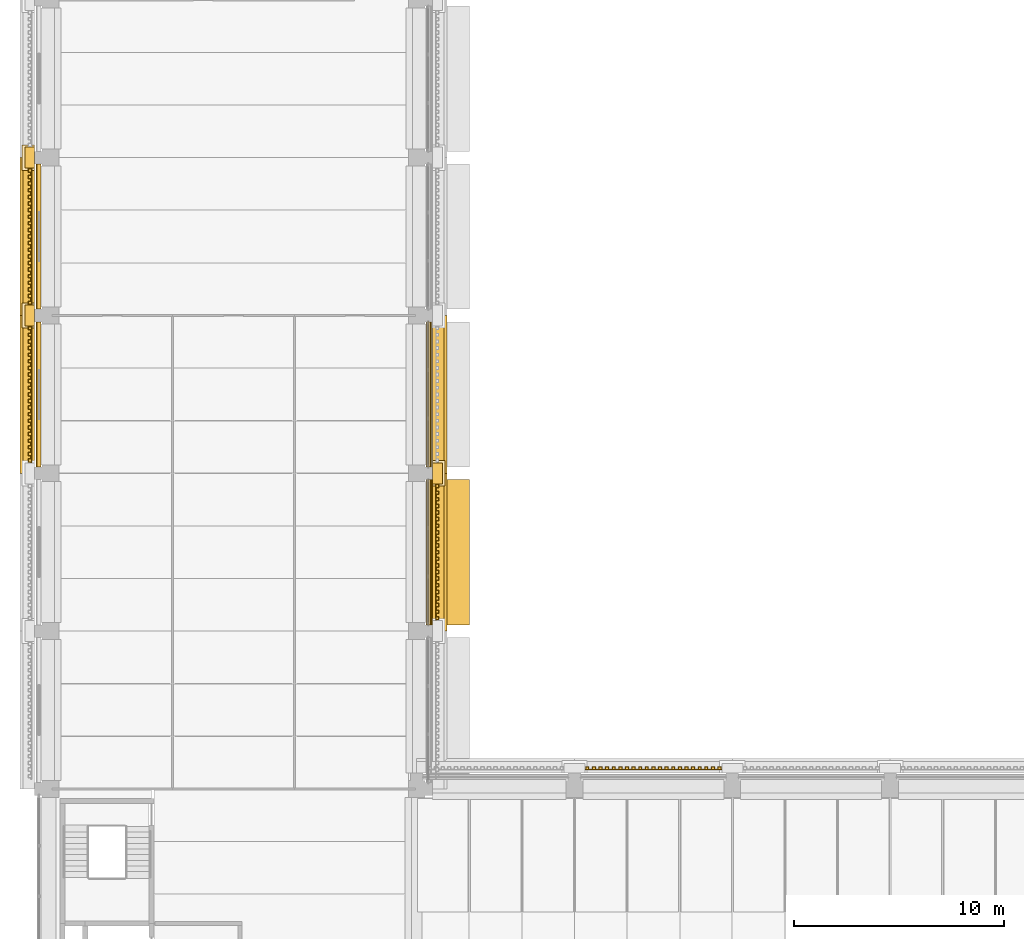
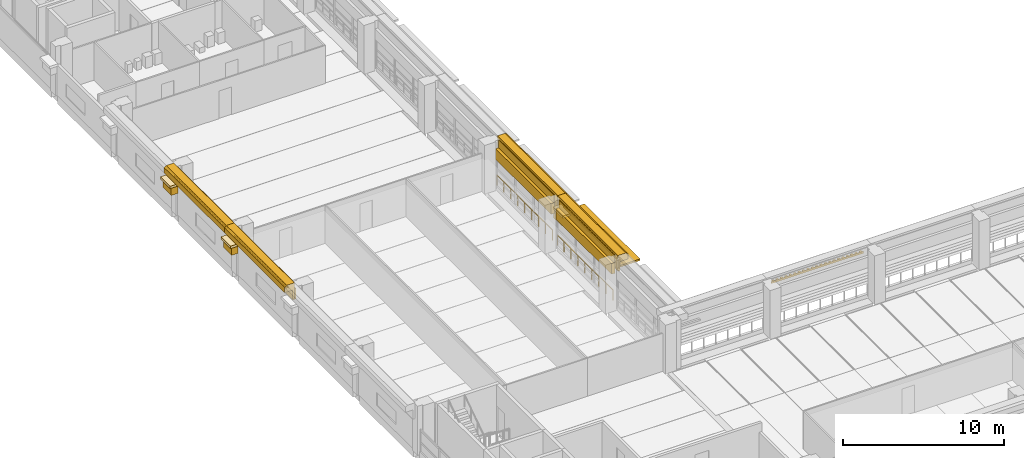
# One storey, part 48 of 71: 18 coverings, 2 railings, 1 shading device.
"""IFC4 building model written with IfcOpenShell, lengths in metres."""

from ifc_helpers import new_model, si_unit, direction, frame, origin, origin_2d, place, context, subcontext, project, spatial, polyline, circle, outline, extrude, material, layer, layer_set, type_object, element, save


model = new_model("IFC4")

# Units and contexts
model_context = context("Model", 3, precision=1e-05, world=origin(), true_north=direction((0.0, 1.0)))
body_context = subcontext(model_context, "Body", "Model", "MODEL_VIEW")
ifc_project = project(units=[si_unit("LENGTHUNIT", "METRE"), si_unit("AREAUNIT", "SQUARE_METRE"), si_unit("VOLUMEUNIT", "CUBIC_METRE"), si_unit("PLANEANGLEUNIT", "RADIAN"), si_unit("MASSUNIT", "GRAM", prefix="KILO")], contexts=[model_context])

# Site, building, storey
site_placement = place(None, origin())
site = spatial("IfcSite", under=ifc_project, at=site_placement, CompositionType="ELEMENT")
building_placement = place(site_placement, origin())
building = spatial("IfcBuilding", under=site, at=building_placement, Name="Cour d'Honneur Mobility Palace", CompositionType="ELEMENT")
storey_placement = place(building_placement, frame((0.0, 0.0, 15.60009765625)))
storey = spatial("IfcBuildingStorey", under=building, at=storey_placement, Name="L04", CompositionType="ELEMENT", Elevation=15.60009765625)

# Railings
ifc_material_1 = material(Name="Painted steel", Category="steel")
railing_type = type_object("IfcRailingType", Name="Balustrade", PredefinedType="BALUSTRADE", material=ifc_material_1)
for number, where, name in (
    (1, (17.949951171875, 70.199951171875, 0.2998046875), "Balustrade BAL-253"),
    (2, (17.949951171875, 77.699951171875, 0.2998046875), "Balustrade BAL-254"),
):
    element("IfcRailing", number, at=place(storey_placement, frame(where)), inside=storey, type_object=railing_type, Name=name, PredefinedType="BALUSTRADE", context=body_context, shape_type="SweptSolid", body=[
        extrude(circle(Radius=0.02392578125, at=origin_2d()), frame((0.0, 0.0, 0.77587890625), z_axis=(0.0, 1.0, 0.0), x_axis=(-1.0, 0.0, 0.0)), (0.0, 0.0, 1.0), 6.900146484375),
        extrude(circle(Radius=0.02099609375, at=origin_2d()), origin(), (0.0, 0.0, 1.0), 0.751953125),
        extrude(circle(Radius=0.02099609375, at=origin_2d()), frame((0.0, 0.862548828125, 0.0)), (0.0, 0.0, 1.0), 0.751953125),
        extrude(circle(Radius=0.02099609375, at=origin_2d()), frame((0.0, 1.72509765625, 0.0)), (0.0, 0.0, 1.0), 0.751953125),
        extrude(circle(Radius=0.02099609375, at=origin_2d()), frame((0.0, 2.587646484375, 0.0)), (0.0, 0.0, 1.0), 0.751953125),
        extrude(circle(Radius=0.02099609375, at=origin_2d()), frame((0.0, 3.4501953125, 0.0)), (0.0, 0.0, 1.0), 0.751953125),
        extrude(circle(Radius=0.02099609375, at=origin_2d()), frame((0.0, 4.3125, 0.0)), (0.0, 0.0, 1.0), 0.751953125),
        extrude(circle(Radius=0.02099609375, at=origin_2d()), frame((0.0, 5.175048828125, 0.0)), (0.0, 0.0, 1.0), 0.751953125),
        extrude(circle(Radius=0.02099609375, at=origin_2d()), frame((0.0, 6.03759765625, 0.0)), (0.0, 0.0, 1.0), 0.751953125),
        extrude(circle(Radius=0.02099609375, at=origin_2d()), frame((0.0, 6.900146484375, 0.0)), (0.0, 0.0, 1.0), 0.751953125),
    ])

# Coverings
ifc_material_2 = material(Name="Cast limestone", Category="masonry")
ifc_layer_1 = layer(ifc_material_2, 0.14990234375)
ifc_layer_set_1 = layer_set([ifc_layer_1], Name="Cast limestone")
covering_type_1 = type_object("IfcCoveringType", Name="Dentil course", PredefinedType="CLADDING", material=ifc_layer_set_1)
covering_1_placement = place(storey_placement, frame((0.0, 0.0, 3.14990234375)))
element("IfcCovering", 3, at=covering_1_placement, inside=storey, type_object=covering_type_1, Name="Dentil course DC-110", PredefinedType="CLADDING", context=body_context, shape_type="SweptSolid", body=[
    extrude(outline(polyline([(31.949951171875, 63.300048828125), (25.35009765625, 63.300048828125), (25.35009765625, 63.330078125), (25.35009765625, 63.330078125), (25.428466796875, 63.330078125), (25.428466796875, 63.449951171875), (25.585693359375, 63.449951171875), (25.585693359375, 63.330078125), (25.664306640625, 63.330078125), (25.664306640625, 63.330078125), (25.742919921875, 63.330078125), (25.742919921875, 63.449951171875), (25.89990234375, 63.449951171875), (25.89990234375, 63.330078125), (25.978515625, 63.330078125), (25.978515625, 63.330078125), (26.05712890625, 63.330078125), (26.05712890625, 63.449951171875), (26.21435546875, 63.449951171875), (26.21435546875, 63.330078125), (26.29296875, 63.330078125), (26.29296875, 63.330078125), (26.371337890625, 63.330078125), (26.371337890625, 63.449951171875), (26.528564453125, 63.449951171875), (26.528564453125, 63.330078125), (26.607177734375, 63.330078125), (26.607177734375, 63.330078125), (26.685791015625, 63.330078125), (26.685791015625, 63.449951171875), (26.8427734375, 63.449951171875), (26.8427734375, 63.330078125), (26.92138671875, 63.330078125), (26.92138671875, 63.330078125), (27.0, 63.330078125), (27.0, 63.449951171875), (27.1572265625, 63.449951171875), (27.1572265625, 63.330078125), (27.235595703125, 63.330078125), (27.235595703125, 63.330078125), (27.314208984375, 63.330078125), (27.314208984375, 63.449951171875), (27.471435546875, 63.449951171875), (27.471435546875, 63.330078125), (27.550048828125, 63.330078125), (27.550048828125, 63.330078125), (27.628662109375, 63.330078125), (27.628662109375, 63.449951171875), (27.78564453125, 63.449951171875), (27.78564453125, 63.330078125), (27.8642578125, 63.330078125), (27.8642578125, 63.330078125), (27.94287109375, 63.330078125), (27.94287109375, 63.449951171875), (28.10009765625, 63.449951171875), (28.10009765625, 63.330078125), (28.178466796875, 63.330078125), (28.178466796875, 63.330078125), (28.257080078125, 63.330078125), (28.257080078125, 63.449951171875), (28.414306640625, 63.449951171875), (28.414306640625, 63.330078125), (28.492919921875, 63.330078125), (28.492919921875, 63.330078125), (28.571533203125, 63.330078125), (28.571533203125, 63.449951171875), (28.728515625, 63.449951171875), (28.728515625, 63.330078125), (28.80712890625, 63.330078125), (28.80712890625, 63.330078125), (28.8857421875, 63.330078125), (28.8857421875, 63.449951171875), (29.04296875, 63.449951171875), (29.04296875, 63.330078125), (29.121337890625, 63.330078125), (29.121337890625, 63.330078125), (29.199951171875, 63.330078125), (29.199951171875, 63.449951171875), (29.357177734375, 63.449951171875), (29.357177734375, 63.330078125), (29.435791015625, 63.330078125), (29.435791015625, 63.330078125), (29.514404296875, 63.330078125), (29.514404296875, 63.449951171875), (29.67138671875, 63.449951171875), (29.67138671875, 63.330078125), (29.75, 63.330078125), (29.75, 63.330078125), (29.82861328125, 63.330078125), (29.82861328125, 63.449951171875), (29.985595703125, 63.449951171875), (29.985595703125, 63.330078125), (30.064208984375, 63.330078125), (30.064208984375, 63.330078125), (30.142822265625, 63.330078125), (30.142822265625, 63.449951171875), (30.300048828125, 63.449951171875), (30.300048828125, 63.330078125), (30.378662109375, 63.330078125), (30.378662109375, 63.330078125), (30.45703125, 63.330078125), (30.45703125, 63.449951171875), (30.6142578125, 63.449951171875), (30.6142578125, 63.330078125), (30.69287109375, 63.330078125), (30.69287109375, 63.330078125), (30.771484375, 63.330078125), (30.771484375, 63.449951171875), (30.928466796875, 63.449951171875), (30.928466796875, 63.330078125), (31.007080078125, 63.330078125), (31.007080078125, 63.330078125), (31.085693359375, 63.330078125), (31.085693359375, 63.449951171875), (31.242919921875, 63.449951171875), (31.242919921875, 63.330078125), (31.321533203125, 63.330078125), (31.321533203125, 63.330078125), (31.39990234375, 63.330078125), (31.39990234375, 63.449951171875), (31.55712890625, 63.449951171875), (31.55712890625, 63.330078125), (31.6357421875, 63.330078125), (31.6357421875, 63.330078125), (31.71435546875, 63.330078125), (31.71435546875, 63.449951171875), (31.871337890625, 63.449951171875), (31.871337890625, 63.330078125), (31.949951171875, 63.330078125), (31.949951171875, 63.300048828125)])), origin(), (0.0, 0.0, 1.0), 0.14990234375),
])
covering_2_placement = place(storey_placement, frame((0.0, 0.0, 3.14990234375)))
element("IfcCovering", 4, at=covering_2_placement, inside=storey, type_object=covering_type_1, Name="Dentil course DC-113", PredefinedType="CLADDING", context=body_context, shape_type="SweptSolid", body=[
    extrude(outline(polyline([(18.300048828125, 70.35009765625), (18.300048828125, 76.949951171875), (18.330078125, 76.949951171875), (18.330078125, 76.949951171875), (18.330078125, 76.871337890625), (18.449951171875, 76.871337890625), (18.449951171875, 76.71435546875), (18.330078125, 76.71435546875), (18.330078125, 76.6357421875), (18.330078125, 76.6357421875), (18.330078125, 76.55712890625), (18.449951171875, 76.55712890625), (18.449951171875, 76.39990234375), (18.330078125, 76.39990234375), (18.330078125, 76.321533203125), (18.330078125, 76.321533203125), (18.330078125, 76.242919921875), (18.449951171875, 76.242919921875), (18.449951171875, 76.085693359375), (18.330078125, 76.085693359375), (18.330078125, 76.007080078125), (18.330078125, 76.007080078125), (18.330078125, 75.928466796875), (18.449951171875, 75.928466796875), (18.449951171875, 75.771484375), (18.330078125, 75.771484375), (18.330078125, 75.69287109375), (18.330078125, 75.69287109375), (18.330078125, 75.6142578125), (18.449951171875, 75.6142578125), (18.449951171875, 75.45703125), (18.330078125, 75.45703125), (18.330078125, 75.378662109375), (18.330078125, 75.378662109375), (18.330078125, 75.300048828125), (18.449951171875, 75.300048828125), (18.449951171875, 75.142822265625), (18.330078125, 75.142822265625), (18.330078125, 75.064208984375), (18.330078125, 75.064208984375), (18.330078125, 74.985595703125), (18.449951171875, 74.985595703125), (18.449951171875, 74.82861328125), (18.330078125, 74.82861328125), (18.330078125, 74.75), (18.330078125, 74.75), (18.330078125, 74.67138671875), (18.449951171875, 74.67138671875), (18.449951171875, 74.514404296875), (18.330078125, 74.514404296875), (18.330078125, 74.435791015625), (18.330078125, 74.435791015625), (18.330078125, 74.357177734375), (18.449951171875, 74.357177734375), (18.449951171875, 74.199951171875), (18.330078125, 74.199951171875), (18.330078125, 74.121337890625), (18.330078125, 74.121337890625), (18.330078125, 74.04296875), (18.449951171875, 74.04296875), (18.449951171875, 73.8857421875), (18.330078125, 73.8857421875), (18.330078125, 73.80712890625), (18.330078125, 73.80712890625), (18.330078125, 73.728515625), (18.449951171875, 73.728515625), (18.449951171875, 73.571533203125), (18.330078125, 73.571533203125), (18.330078125, 73.492919921875), (18.330078125, 73.492919921875), (18.330078125, 73.414306640625), (18.449951171875, 73.414306640625), (18.449951171875, 73.257080078125), (18.330078125, 73.257080078125), (18.330078125, 73.178466796875), (18.330078125, 73.178466796875), (18.330078125, 73.10009765625), (18.449951171875, 73.10009765625), (18.449951171875, 72.94287109375), (18.330078125, 72.94287109375), (18.330078125, 72.8642578125), (18.330078125, 72.8642578125), (18.330078125, 72.78564453125), (18.449951171875, 72.78564453125), (18.449951171875, 72.628662109375), (18.330078125, 72.628662109375), (18.330078125, 72.550048828125), (18.330078125, 72.550048828125), (18.330078125, 72.471435546875), (18.449951171875, 72.471435546875), (18.449951171875, 72.314208984375), (18.330078125, 72.314208984375), (18.330078125, 72.235595703125), (18.330078125, 72.235595703125), (18.330078125, 72.1572265625), (18.449951171875, 72.1572265625), (18.449951171875, 72.0), (18.330078125, 72.0), (18.330078125, 71.92138671875), (18.330078125, 71.92138671875), (18.330078125, 71.8427734375), (18.449951171875, 71.8427734375), (18.449951171875, 71.685791015625), (18.330078125, 71.685791015625), (18.330078125, 71.607177734375), (18.330078125, 71.607177734375), (18.330078125, 71.528564453125), (18.449951171875, 71.528564453125), (18.449951171875, 71.371337890625), (18.330078125, 71.371337890625), (18.330078125, 71.29296875), (18.330078125, 71.29296875), (18.330078125, 71.21435546875), (18.449951171875, 71.21435546875), (18.449951171875, 71.05712890625), (18.330078125, 71.05712890625), (18.330078125, 70.978515625), (18.330078125, 70.978515625), (18.330078125, 70.89990234375), (18.449951171875, 70.89990234375), (18.449951171875, 70.742919921875), (18.330078125, 70.742919921875), (18.330078125, 70.664306640625), (18.330078125, 70.664306640625), (18.330078125, 70.585693359375), (18.449951171875, 70.585693359375), (18.449951171875, 70.428466796875), (18.330078125, 70.428466796875), (18.330078125, 70.35009765625), (18.300048828125, 70.35009765625)])), origin(), (0.0, 0.0, 1.0), 0.14990234375),
])
covering_3_placement = place(storey_placement, frame((0.0, 0.0, 3.14990234375)))
element("IfcCovering", 5, at=covering_3_placement, inside=storey, type_object=covering_type_1, Name="Dentil course DC-120", PredefinedType="CLADDING", context=body_context, shape_type="SweptSolid", body=[
    extrude(outline(polyline([(-0.89990234375, 91.949951171875), (-0.89990234375, 85.35009765625), (-0.929931640625, 85.35009765625), (-0.929931640625, 85.35009765625), (-0.929931640625, 85.428466796875), (-1.050048828125, 85.428466796875), (-1.050048828125, 85.585693359375), (-0.929931640625, 85.585693359375), (-0.929931640625, 85.664306640625), (-0.929931640625, 85.664306640625), (-0.929931640625, 85.742919921875), (-1.050048828125, 85.742919921875), (-1.050048828125, 85.89990234375), (-0.929931640625, 85.89990234375), (-0.929931640625, 85.978515625), (-0.929931640625, 85.978515625), (-0.929931640625, 86.05712890625), (-1.050048828125, 86.05712890625), (-1.050048828125, 86.21435546875), (-0.929931640625, 86.21435546875), (-0.929931640625, 86.29296875), (-0.929931640625, 86.29296875), (-0.929931640625, 86.371337890625), (-1.050048828125, 86.371337890625), (-1.050048828125, 86.528564453125), (-0.929931640625, 86.528564453125), (-0.929931640625, 86.607177734375), (-0.929931640625, 86.607177734375), (-0.929931640625, 86.685791015625), (-1.050048828125, 86.685791015625), (-1.050048828125, 86.8427734375), (-0.929931640625, 86.8427734375), (-0.929931640625, 86.92138671875), (-0.929931640625, 86.92138671875), (-0.929931640625, 87.0), (-1.050048828125, 87.0), (-1.050048828125, 87.1572265625), (-0.929931640625, 87.1572265625), (-0.929931640625, 87.235595703125), (-0.929931640625, 87.235595703125), (-0.929931640625, 87.314208984375), (-1.050048828125, 87.314208984375), (-1.050048828125, 87.471435546875), (-0.929931640625, 87.471435546875), (-0.929931640625, 87.550048828125), (-0.929931640625, 87.550048828125), (-0.929931640625, 87.628662109375), (-1.050048828125, 87.628662109375), (-1.050048828125, 87.78564453125), (-0.929931640625, 87.78564453125), (-0.929931640625, 87.8642578125), (-0.929931640625, 87.8642578125), (-0.929931640625, 87.94287109375), (-1.050048828125, 87.94287109375), (-1.050048828125, 88.10009765625), (-0.929931640625, 88.10009765625), (-0.929931640625, 88.178466796875), (-0.929931640625, 88.178466796875), (-0.929931640625, 88.257080078125), (-1.050048828125, 88.257080078125), (-1.050048828125, 88.414306640625), (-0.929931640625, 88.414306640625), (-0.929931640625, 88.492919921875), (-0.929931640625, 88.492919921875), (-0.929931640625, 88.571533203125), (-1.050048828125, 88.571533203125), (-1.050048828125, 88.728515625), (-0.929931640625, 88.728515625), (-0.929931640625, 88.80712890625), (-0.929931640625, 88.80712890625), (-0.929931640625, 88.8857421875), (-1.050048828125, 88.8857421875), (-1.050048828125, 89.04296875), (-0.929931640625, 89.04296875), (-0.929931640625, 89.121337890625), (-0.929931640625, 89.121337890625), (-0.929931640625, 89.199951171875), (-1.050048828125, 89.199951171875), (-1.050048828125, 89.357177734375), (-0.929931640625, 89.357177734375), (-0.929931640625, 89.435791015625), (-0.929931640625, 89.435791015625), (-0.929931640625, 89.514404296875), (-1.050048828125, 89.514404296875), (-1.050048828125, 89.67138671875), (-0.929931640625, 89.67138671875), (-0.929931640625, 89.75), (-0.929931640625, 89.75), (-0.929931640625, 89.82861328125), (-1.050048828125, 89.82861328125), (-1.050048828125, 89.985595703125), (-0.929931640625, 89.985595703125), (-0.929931640625, 90.064208984375), (-0.929931640625, 90.064208984375), (-0.929931640625, 90.142822265625), (-1.050048828125, 90.142822265625), (-1.050048828125, 90.300048828125), (-0.929931640625, 90.300048828125), (-0.929931640625, 90.378662109375), (-0.929931640625, 90.378662109375), (-0.929931640625, 90.45703125), (-1.050048828125, 90.45703125), (-1.050048828125, 90.6142578125), (-0.929931640625, 90.6142578125), (-0.929931640625, 90.69287109375), (-0.929931640625, 90.69287109375), (-0.929931640625, 90.771484375), (-1.050048828125, 90.771484375), (-1.050048828125, 90.928466796875), (-0.929931640625, 90.928466796875), (-0.929931640625, 91.007080078125), (-0.929931640625, 91.007080078125), (-0.929931640625, 91.085693359375), (-1.050048828125, 91.085693359375), (-1.050048828125, 91.242919921875), (-0.929931640625, 91.242919921875), (-0.929931640625, 91.321533203125), (-0.929931640625, 91.321533203125), (-0.929931640625, 91.39990234375), (-1.050048828125, 91.39990234375), (-1.050048828125, 91.55712890625), (-0.929931640625, 91.55712890625), (-0.929931640625, 91.6357421875), (-0.929931640625, 91.6357421875), (-0.929931640625, 91.71435546875), (-1.050048828125, 91.71435546875), (-1.050048828125, 91.871337890625), (-0.929931640625, 91.871337890625), (-0.929931640625, 91.949951171875), (-0.89990234375, 91.949951171875)])), origin(), (0.0, 0.0, 1.0), 0.14990234375),
])
covering_4_placement = place(storey_placement, frame((0.0, 0.0, 3.14990234375)))
element("IfcCovering", 6, at=covering_4_placement, inside=storey, type_object=covering_type_1, Name="Dentil course DC-121", PredefinedType="CLADDING", context=body_context, shape_type="SweptSolid", body=[
    extrude(outline(polyline([(-0.89990234375, 84.449951171875), (-0.89990234375, 77.85009765625), (-0.929931640625, 77.85009765625), (-0.929931640625, 77.85009765625), (-0.929931640625, 77.928466796875), (-1.050048828125, 77.928466796875), (-1.050048828125, 78.085693359375), (-0.929931640625, 78.085693359375), (-0.929931640625, 78.164306640625), (-0.929931640625, 78.164306640625), (-0.929931640625, 78.242919921875), (-1.050048828125, 78.242919921875), (-1.050048828125, 78.39990234375), (-0.929931640625, 78.39990234375), (-0.929931640625, 78.478515625), (-0.929931640625, 78.478515625), (-0.929931640625, 78.55712890625), (-1.050048828125, 78.55712890625), (-1.050048828125, 78.71435546875), (-0.929931640625, 78.71435546875), (-0.929931640625, 78.79296875), (-0.929931640625, 78.79296875), (-0.929931640625, 78.871337890625), (-1.050048828125, 78.871337890625), (-1.050048828125, 79.028564453125), (-0.929931640625, 79.028564453125), (-0.929931640625, 79.107177734375), (-0.929931640625, 79.107177734375), (-0.929931640625, 79.185791015625), (-1.050048828125, 79.185791015625), (-1.050048828125, 79.3427734375), (-0.929931640625, 79.3427734375), (-0.929931640625, 79.42138671875), (-0.929931640625, 79.42138671875), (-0.929931640625, 79.5), (-1.050048828125, 79.5), (-1.050048828125, 79.6572265625), (-0.929931640625, 79.6572265625), (-0.929931640625, 79.735595703125), (-0.929931640625, 79.735595703125), (-0.929931640625, 79.814208984375), (-1.050048828125, 79.814208984375), (-1.050048828125, 79.971435546875), (-0.929931640625, 79.971435546875), (-0.929931640625, 80.050048828125), (-0.929931640625, 80.050048828125), (-0.929931640625, 80.128662109375), (-1.050048828125, 80.128662109375), (-1.050048828125, 80.28564453125), (-0.929931640625, 80.28564453125), (-0.929931640625, 80.3642578125), (-0.929931640625, 80.3642578125), (-0.929931640625, 80.44287109375), (-1.050048828125, 80.44287109375), (-1.050048828125, 80.60009765625), (-0.929931640625, 80.60009765625), (-0.929931640625, 80.678466796875), (-0.929931640625, 80.678466796875), (-0.929931640625, 80.757080078125), (-1.050048828125, 80.757080078125), (-1.050048828125, 80.914306640625), (-0.929931640625, 80.914306640625), (-0.929931640625, 80.992919921875), (-0.929931640625, 80.992919921875), (-0.929931640625, 81.071533203125), (-1.050048828125, 81.071533203125), (-1.050048828125, 81.228515625), (-0.929931640625, 81.228515625), (-0.929931640625, 81.30712890625), (-0.929931640625, 81.30712890625), (-0.929931640625, 81.3857421875), (-1.050048828125, 81.3857421875), (-1.050048828125, 81.54296875), (-0.929931640625, 81.54296875), (-0.929931640625, 81.621337890625), (-0.929931640625, 81.621337890625), (-0.929931640625, 81.699951171875), (-1.050048828125, 81.699951171875), (-1.050048828125, 81.857177734375), (-0.929931640625, 81.857177734375), (-0.929931640625, 81.935791015625), (-0.929931640625, 81.935791015625), (-0.929931640625, 82.014404296875), (-1.050048828125, 82.014404296875), (-1.050048828125, 82.17138671875), (-0.929931640625, 82.17138671875), (-0.929931640625, 82.25), (-0.929931640625, 82.25), (-0.929931640625, 82.32861328125), (-1.050048828125, 82.32861328125), (-1.050048828125, 82.485595703125), (-0.929931640625, 82.485595703125), (-0.929931640625, 82.564208984375), (-0.929931640625, 82.564208984375), (-0.929931640625, 82.642822265625), (-1.050048828125, 82.642822265625), (-1.050048828125, 82.800048828125), (-0.929931640625, 82.800048828125), (-0.929931640625, 82.878662109375), (-0.929931640625, 82.878662109375), (-0.929931640625, 82.95703125), (-1.050048828125, 82.95703125), (-1.050048828125, 83.1142578125), (-0.929931640625, 83.1142578125), (-0.929931640625, 83.19287109375), (-0.929931640625, 83.19287109375), (-0.929931640625, 83.271484375), (-1.050048828125, 83.271484375), (-1.050048828125, 83.428466796875), (-0.929931640625, 83.428466796875), (-0.929931640625, 83.507080078125), (-0.929931640625, 83.507080078125), (-0.929931640625, 83.585693359375), (-1.050048828125, 83.585693359375), (-1.050048828125, 83.742919921875), (-0.929931640625, 83.742919921875), (-0.929931640625, 83.821533203125), (-0.929931640625, 83.821533203125), (-0.929931640625, 83.89990234375), (-1.050048828125, 83.89990234375), (-1.050048828125, 84.05712890625), (-0.929931640625, 84.05712890625), (-0.929931640625, 84.1357421875), (-0.929931640625, 84.1357421875), (-0.929931640625, 84.21435546875), (-1.050048828125, 84.21435546875), (-1.050048828125, 84.371337890625), (-0.929931640625, 84.371337890625), (-0.929931640625, 84.449951171875), (-0.89990234375, 84.449951171875)])), origin(), (0.0, 0.0, 1.0), 0.14990234375),
])

# Shading device
ifc_material_3 = material(Name="Anodised aluminium", Category="aluminium")
ifc_layer_2 = layer(ifc_material_3, 0.1201171875)
ifc_layer_set_2 = layer_set([ifc_layer_2], Name="Anodised aluminium")
shading_device_type = type_object("IfcShadingDeviceType", Name="Eave sunshade 1800", PredefinedType="AWNING", material=ifc_layer_set_2)
shading_device_placement = place(storey_placement, frame((0.0, 0.0, 2.6298828125)))
element("IfcShadingDevice", 7, at=shading_device_placement, inside=storey, type_object=shading_device_type, Name="Sunshade E9.1 L04", PredefinedType="AWNING", context=body_context, shape_type="SweptSolid", body=[
    extrude(outline(polyline([(18.10009765625, 70.199951171875), (18.10009765625, 77.10009765625), (19.89990234375, 77.10009765625), (19.89990234375, 70.199951171875), (18.10009765625, 70.199951171875)])), origin(), (0.0, 0.0, 1.0), 0.1201171875),
])

# Coverings
ifc_material_4 = material(Name="Cast limestone", Category="masonry")
ifc_layer_3 = layer(ifc_material_4, 0.699951171875)
ifc_layer_set_3 = layer_set([ifc_layer_3], Name="Cast limestone")
covering_type_2 = type_object("IfcCoveringType", Name="Entablature", PredefinedType="CLADDING", material=ifc_layer_set_3)
for number, where, z_axis, x_axis, name in (
    (8, (18.14990234375, 69.89990234375, 2.599853515625), (0.0, -1.0, 0.0), (1.0, 0.0, 0.0), "Entablature EN-113"),
    (9, (18.14990234375, 77.39990234375, 2.599853515625), (0.0, -1.0, 0.0), (1.0, 0.0, 0.0), "Entablature EN-114"),
):
    element("IfcCovering", number, at=place(storey_placement, frame(where, z_axis=z_axis, x_axis=x_axis)), inside=storey, type_object=covering_type_2, Name=name, PredefinedType="CLADDING", context=body_context, shape_type="SweptSolid", body=[
        extrude(outline(polyline([(0.0, 0.0), (0.150146484375, 0.0), (0.150146484375, 0.699951171875), (0.7001953125, 0.699951171875), (0.7001953125, 1.10009765625), (0.550048828125, 1.199951171875), (0.0, 1.199951171875), (0.0, 0.0)])), origin(), (0.0, 0.0, -1.0), 7.5),
    ])
for number, where, z_axis, x_axis, name in (
    (10, (-0.75, 92.39990234375, 2.599853515625), (0.0, 1.0, 0.0), (-1.0, 0.0, 0.0), "Entablature EN-120"),
    (11, (-0.75, 84.89990234375, 2.599853515625), (0.0, 1.0, 0.0), (-1.0, 0.0, 0.0), "Entablature EN-121"),
):
    element("IfcCovering", number, at=place(storey_placement, frame(where, z_axis=z_axis, x_axis=x_axis)), inside=storey, type_object=covering_type_2, Name=name, PredefinedType="CLADDING", context=body_context, shape_type="SweptSolid", body=[
        extrude(outline(polyline([(0.0, 0.0), (0.14990234375, 0.0), (0.14990234375, 0.699951171875), (0.699951171875, 0.699951171875), (0.699951171875, 1.10009765625), (0.550048828125, 1.199951171875), (0.0, 1.199951171875), (0.0, 0.0)])), origin(), (0.0, 0.0, -1.0), 7.5),
    ])
ifc_material_5 = material(Name="Cast limestone", Category="masonry")
ifc_layer_4 = layer(ifc_material_5, 0.1201171875)
ifc_layer_set_4 = layer_set([ifc_layer_4], Name="Cast limestone")
covering_type_3 = type_object("IfcCoveringType", Name="Pilaster capital", PredefinedType="CLADDING", material=ifc_layer_set_4)
covering_5_placement = place(storey_placement, frame((0.0, 0.0, 1.7998046875)))
element("IfcCovering", 12, at=covering_5_placement, inside=storey, type_object=covering_type_3, Name="Pilaster capital PK-163", PredefinedType="CLADDING", context=body_context, shape_type="SweptSolid", body=[
    extrude(outline(polyline([(18.14990234375, 76.89990234375), (18.14990234375, 77.89990234375), (18.6201171875, 77.89990234375), (18.6201171875, 76.89990234375), (18.14990234375, 76.89990234375)])), origin(), (0.0, 0.0, 1.0), 0.6201171875),
])
covering_6_placement = place(storey_placement, frame((0.0, 0.0, 2.419921875)))
element("IfcCovering", 13, at=covering_6_placement, inside=storey, type_object=covering_type_3, Name="Pilaster capital PK-164", PredefinedType="CLADDING", context=body_context, shape_type="SweptSolid", body=[
    extrude(outline(polyline([(18.14990234375, 76.800048828125), (18.14990234375, 78.0), (18.75, 78.0), (18.75, 76.800048828125), (18.14990234375, 76.800048828125)])), origin(), (0.0, 0.0, 1.0), 0.179931640625),
])
covering_7_placement = place(storey_placement, frame((0.0, 0.0, 1.7998046875)))
element("IfcCovering", 14, at=covering_7_placement, inside=storey, type_object=covering_type_3, Name="Pilaster capital PK-185", PredefinedType="CLADDING", context=body_context, shape_type="SweptSolid", body=[
    extrude(outline(polyline([(-0.75, 92.89990234375), (-0.75, 91.89990234375), (-1.219970703125, 91.89990234375), (-1.219970703125, 92.89990234375), (-0.75, 92.89990234375)])), origin(), (0.0, 0.0, 1.0), 0.6201171875),
])
covering_8_placement = place(storey_placement, frame((0.0, 0.0, 2.419921875)))
element("IfcCovering", 15, at=covering_8_placement, inside=storey, type_object=covering_type_3, Name="Pilaster capital PK-186", PredefinedType="CLADDING", context=body_context, shape_type="SweptSolid", body=[
    extrude(outline(polyline([(-0.75, 93.0), (-0.75, 91.800048828125), (-1.35009765625, 91.800048828125), (-1.35009765625, 93.0), (-0.75, 93.0)])), origin(), (0.0, 0.0, 1.0), 0.179931640625),
])
covering_9_placement = place(storey_placement, frame((0.0, 0.0, 1.7998046875)))
element("IfcCovering", 16, at=covering_9_placement, inside=storey, type_object=covering_type_3, Name="Pilaster capital PK-187", PredefinedType="CLADDING", context=body_context, shape_type="SweptSolid", body=[
    extrude(outline(polyline([(-0.75, 85.39990234375), (-0.75, 84.39990234375), (-1.219970703125, 84.39990234375), (-1.219970703125, 85.39990234375), (-0.75, 85.39990234375)])), origin(), (0.0, 0.0, 1.0), 0.6201171875),
])
covering_10_placement = place(storey_placement, frame((0.0, 0.0, 2.419921875)))
element("IfcCovering", 17, at=covering_10_placement, inside=storey, type_object=covering_type_3, Name="Pilaster capital PK-188", PredefinedType="CLADDING", context=body_context, shape_type="SweptSolid", body=[
    extrude(outline(polyline([(-0.75, 85.5), (-0.75, 84.300048828125), (-1.35009765625, 84.300048828125), (-1.35009765625, 85.5), (-0.75, 85.5)])), origin(), (0.0, 0.0, 1.0), 0.179931640625),
])
ifc_material_6 = material(Name="Cast limestone", Category="masonry")
ifc_layer_5 = layer(ifc_material_6, 0.25)
ifc_layer_set_5 = layer_set([ifc_layer_5], Name="Cast limestone")
covering_type_4 = type_object("IfcCoveringType", Name="Spandrel cladding", PredefinedType="CLADDING", material=ifc_layer_set_5)
for number, where, z_axis, x_axis, name in (
    (18, (17.85009765625, 70.199951171875, 2.2998046875), (0.0, -1.0, 0.0), (1.0, 0.0, 0.0), "Spandrel cladding SK-332"),
    (19, (17.85009765625, 77.699951171875, 2.2998046875), (0.0, -1.0, 0.0), (1.0, 0.0, 0.0), "Spandrel cladding SK-333"),
    (20, (-0.449951171875, 92.10009765625, 2.2998046875), (0.0, 1.0, 0.0), (-1.0, 0.0, 0.0), "Spandrel cladding SK-339"),
    (21, (-0.449951171875, 84.60009765625, 2.2998046875), (0.0, 1.0, 0.0), (-1.0, 0.0, 0.0), "Spandrel cladding SK-340"),
):
    element("IfcCovering", number, at=place(storey_placement, frame(where, z_axis=z_axis, x_axis=x_axis)), inside=storey, type_object=covering_type_4, Name=name, PredefinedType="CLADDING", context=body_context, shape_type="SweptSolid", body=[
        extrude(outline(polyline([(0.0, 0.0), (0.25, 0.0), (0.25, 1.400146484375), (0.199951171875, 1.400146484375), (0.199951171875, 0.800048828125), (0.0, 0.800048828125), (0.0, 0.0)])), origin(), (0.0, 0.0, -1.0), 6.89990234375),
    ])

save(model, "model.ifc")
